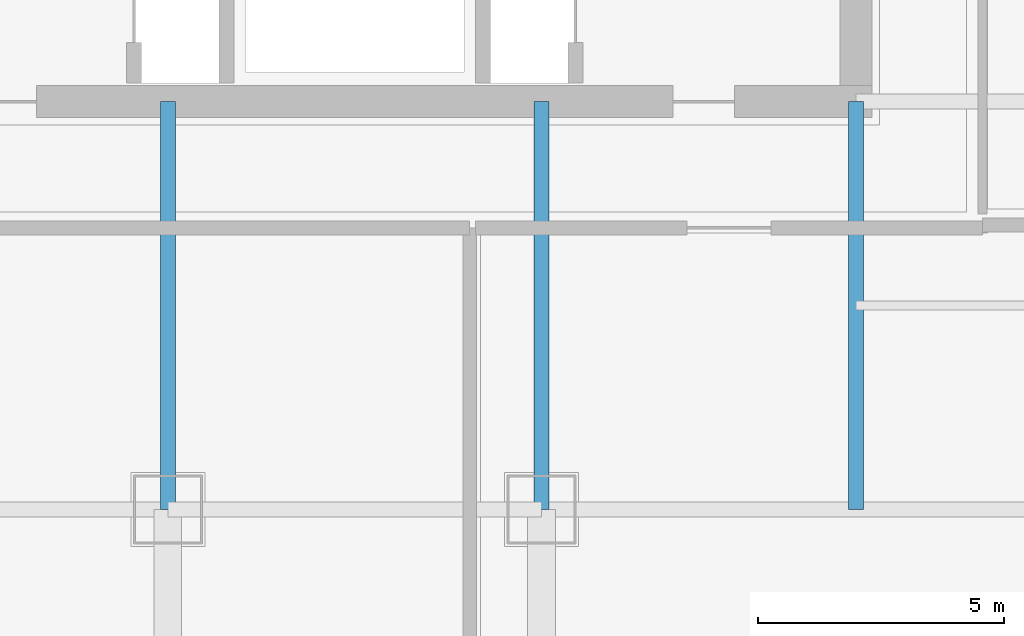
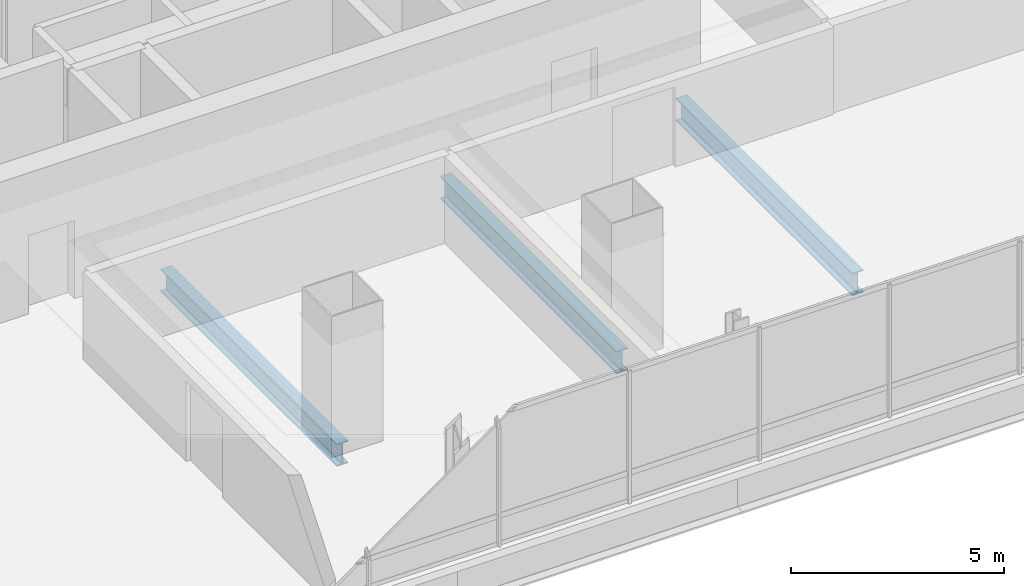
# One storey, part 8 of 35: 3 beams.
"""IFC4 building model written with IfcOpenShell, lengths in metres."""

from ifc_helpers import new_model, si_unit, direction, frame, origin, origin_2d, place, context, subcontext, project, spatial, i_section, extrude, material, material_profile, profile_set, type_object, element, save


model = new_model("IFC4")

# Units and contexts
model_context = context("Model", 3, precision=1e-05, world=origin(), true_north=direction((0.0, 1.0)))
body_context = subcontext(model_context, "Body", "Model", "MODEL_VIEW")
ifc_project = project(units=[si_unit("LENGTHUNIT", "METRE"), si_unit("AREAUNIT", "SQUARE_METRE"), si_unit("VOLUMEUNIT", "CUBIC_METRE"), si_unit("PLANEANGLEUNIT", "RADIAN"), si_unit("MASSUNIT", "GRAM", prefix="KILO")], contexts=[model_context])

# Site, building, storey
site_placement = place(None, origin())
site = spatial("IfcSite", under=ifc_project, at=site_placement, CompositionType="ELEMENT")
building_placement = place(site_placement, origin())
building = spatial("IfcBuilding", under=site, at=building_placement, Name="Punatoya Terracotta Tower", CompositionType="ELEMENT")
storey_placement = place(building_placement, frame((0.0, 0.0, 216.75)))
storey = spatial("IfcBuildingStorey", under=building, at=storey_placement, Name="L51", CompositionType="ELEMENT", Elevation=216.75)

# Beams
ifc_material = material(Name="Steel S355", Category="steel")
ifc_material_profile = material_profile(ifc_material, i_section(OverallWidth=0.300048828125, OverallDepth=0.64990234375, WebThickness=0.01611328125, FlangeThickness=0.031005859375, FilletRadius=0.01806640625, at=origin_2d()))
ifc_profile_set = profile_set([ifc_material_profile], Name="Steel S355")
beam_type = type_object("IfcBeamType", Name="BM-PRI-650", PredefinedType="BEAM", material=ifc_profile_set)
for number, where, z_axis, x_axis, name in (
    (1, (-3.800048828125, -17.5, -0.544921875), (0.0, 1.0, 0.0), (-1.0, 0.0, 0.0), "BM-L51-PR-S2"),
    (2, (3.800048828125, -17.5, -0.544921875), (0.0, 1.0, 0.0), (-1.0, 0.0, 0.0), "BM-L51-PR-S3"),
    (3, (10.199951171875, -17.5, -0.544921875), (0.0, 1.0, 0.0), (-1.0, 0.0, 0.0), "BM-L51-PR-S4"),
):
    element("IfcBeam", number, at=place(storey_placement, frame(where, z_axis=z_axis, x_axis=x_axis)), inside=storey, type_object=beam_type, Name=name, PredefinedType="BEAM", context=body_context, shape_type="SweptSolid", body=[
        extrude(i_section(OverallWidth=0.300048828125, OverallDepth=0.64990234375, WebThickness=0.01611328125, FlangeThickness=0.031005859375, FilletRadius=0.01806640625, at=origin_2d()), origin(), (0.0, 0.0, 1.0), 8.300048828125),
    ])

save(model, "model.ifc")
